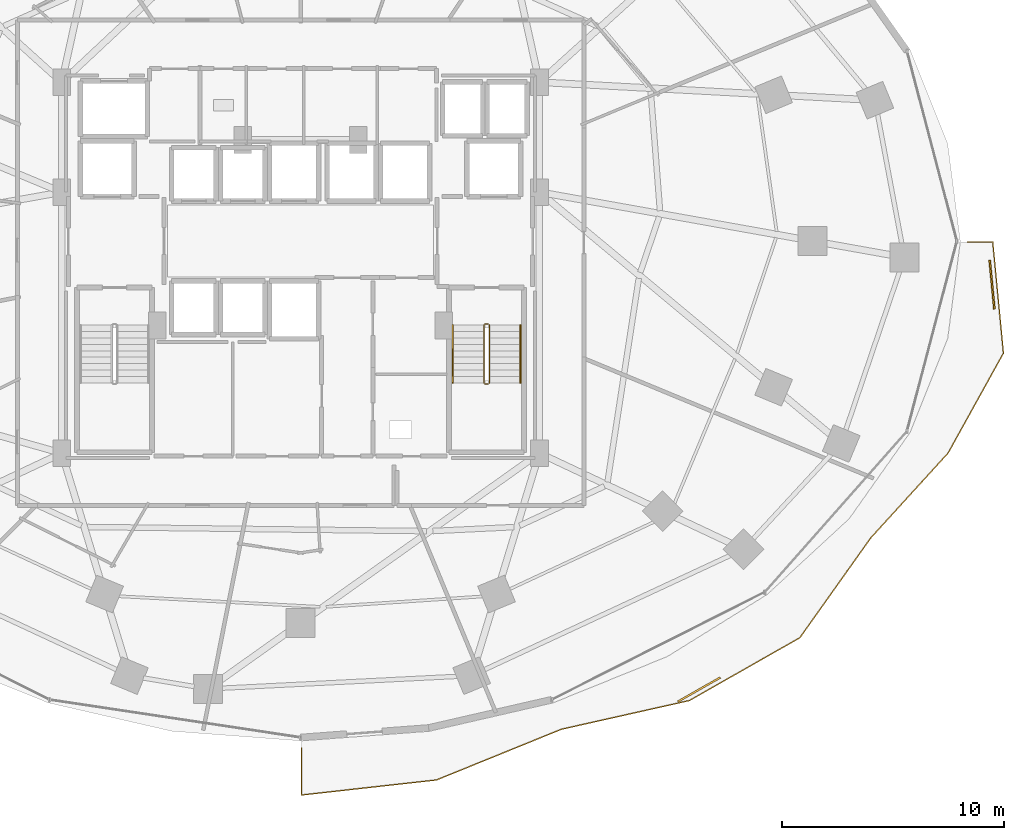
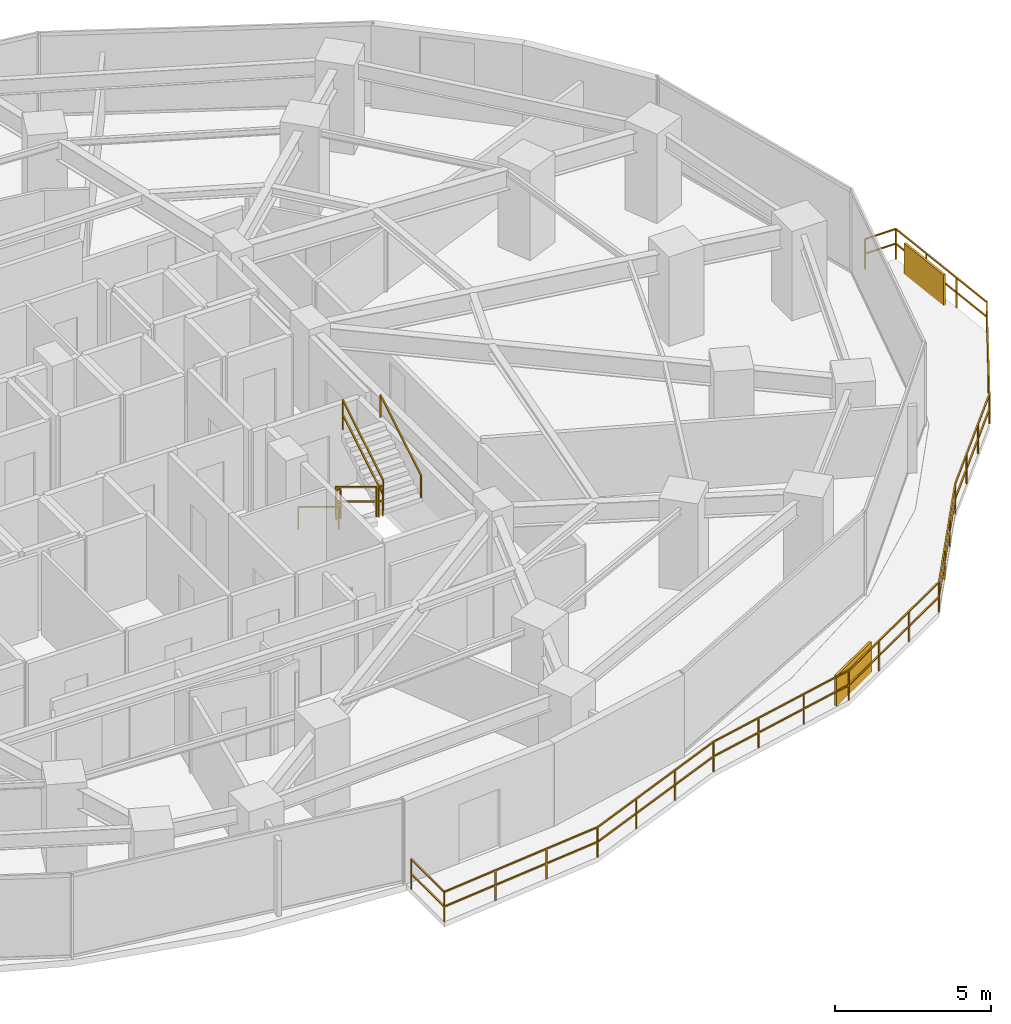
# One storey, part 33 of 35: 8 railings, 2 shading devices.
"""IFC4 building model written with IfcOpenShell, lengths in metres."""

import ifcopenshell
import ifcopenshell.guid

model = None  # the IFC model being written
_history = None  # IfcOwnerHistory: only IFC2X3 demands one
_inside = {}  # id of a spatial element -> (the spatial element, [elements in it])
_under = {}  # id of a project, library or spatial element -> (it, [spatial elements below it])
_declared = {}  # id of a project -> (the project, [libraries it declares])
_typed = {}  # id of a type object -> (the type object, [elements of that type])
_made_of = {}  # id of a material, layer set ... -> (it, [elements and type objects made of it])


def new_model(schema):
    """Start an empty IFC model of exactly this schema.

    Asked for "IFC4X3", IfcOpenShell would pick the latest addendum, in which some entities
    have other attributes; the version numbers below select the first issue.
    IFC2X3 requires an IfcOwnerHistory on every rooted entity: one is made here for all.
    """
    global model, _history
    if schema == "IFC4X3":
        model = ifcopenshell.file(schema_version=(4, 3, 0, 0))
    else:
        model = ifcopenshell.file(schema=schema)
    _inside.clear()
    _under.clear()
    _declared.clear()
    _typed.clear()
    _made_of.clear()
    _history = None
    if model.schema == "IFC2X3":
        org = make("IfcOrganization", Name="unknown")
        user = make(
            "IfcPersonAndOrganization",
            ThePerson=make("IfcPerson", FamilyName="unknown"),
            TheOrganization=org,
        )
        app = make(
            "IfcApplication",
            ApplicationDeveloper=org,
            Version="unknown",
            ApplicationFullName="unknown",
            ApplicationIdentifier="unknown",
        )
        _history = make(
            "IfcOwnerHistory",
            OwningUser=user,
            OwningApplication=app,
            ChangeAction="ADDED",
            CreationDate=0,
        )
    return model


def make(cls, **values):
    """One entity of the class cls with the attributes given. An attribute that is None is left unset."""
    return model.create_entity(
        cls, **{name: value for name, value in values.items() if value is not None}
    )


def rooted(cls, **values):
    """An entity with a GlobalId (a new one), such as an element, a storey or a relation."""
    return make(cls, GlobalId=ifcopenshell.guid.new(), OwnerHistory=_history, **values)


def si_unit(unit_type, name, prefix=None):
    """IfcSIUnit, for example si_unit("LENGTHUNIT", "METRE", prefix="MILLI")."""
    return make("IfcSIUnit", UnitType=unit_type, Prefix=prefix, Name=name)


def assignment(units):
    """IfcUnitAssignment: the units of a project."""
    return None if units is None else make("IfcUnitAssignment", Units=units)


def point(xyz):
    """IfcCartesianPoint."""
    return None if xyz is None else make("IfcCartesianPoint", Coordinates=xyz)


def direction(xyz):
    """IfcDirection."""
    return None if xyz is None else make("IfcDirection", DirectionRatios=xyz)


def frame(location, z_axis=None, x_axis=None):
    """IfcAxis2Placement3D, a coordinate frame: its origin and axes. An axis left out is left unset."""
    return make(
        "IfcAxis2Placement3D",
        Location=point(location),
        Axis=direction(z_axis),
        RefDirection=direction(x_axis),
    )


def frame_2d(location, x_axis=None):
    """IfcAxis2Placement2D, a coordinate frame in the plane: its origin and x axis."""
    return make(
        "IfcAxis2Placement2D", Location=point(location), RefDirection=direction(x_axis)
    )


def origin():
    """The frame at (0, 0, 0) with its axes left unset."""
    return frame((0.0, 0.0, 0.0))


def origin_2d():
    """The frame at (0, 0) in the plane with its x axis left unset."""
    return frame_2d((0.0, 0.0))


def place(relative_to, where):
    """IfcLocalPlacement: puts the frame where relative to a parent placement (None: the world)."""
    return make(
        "IfcLocalPlacement", PlacementRelTo=relative_to, RelativePlacement=where
    )


def context(
    kind, dimensions, precision=None, world=None, true_north=None, identifier=None
):
    """IfcGeometricRepresentationContext, for example the 3D "Model" context."""
    return make(
        "IfcGeometricRepresentationContext",
        ContextIdentifier=identifier,
        ContextType=kind,
        CoordinateSpaceDimension=dimensions,
        Precision=precision,
        WorldCoordinateSystem=world,
        TrueNorth=true_north,
    )


def subcontext(parent, identifier, kind, view, scale=None):
    """IfcGeometricRepresentationSubContext, for example "Body" below "Model"."""
    return make(
        "IfcGeometricRepresentationSubContext",
        ContextIdentifier=identifier,
        ContextType=kind,
        ParentContext=parent,
        TargetScale=scale,
        TargetView=view,
    )


def project(units=None, contexts=None):
    """IfcProject with its units and contexts."""
    return rooted(
        "IfcProject",
        Name="project",
        RepresentationContexts=contexts,
        UnitsInContext=assignment(units),
    )


def spatial(cls, under=None, at=None, **own):
    """A site, building, storey or space (cls), placed at a placement, below another one or the project."""
    s = rooted(cls, ObjectPlacement=at, **own)
    if under is not None:
        _under.setdefault(under.id(), (under, []))[1].append(s)
    return s


def profile(cls, at=None, kind="AREA", **sizes):
    """A parametric profile (cls). Its sizes go by their IFC names, for example OverallWidth=200.0."""
    return make(cls, ProfileType=kind, Position=at, **sizes)


def rectangle(**sizes):
    """IfcRectangleProfileDef."""
    return profile("IfcRectangleProfileDef", **sizes)


def extrude(swept, where, along, depth):
    """IfcExtrudedAreaSolid: the profile swept, set in the frame where, extruded along a direction by depth."""
    return make(
        "IfcExtrudedAreaSolid",
        SweptArea=swept,
        Position=where,
        ExtrudedDirection=direction(along),
        Depth=depth,
    )


def shape(context_of_items, identifier, shape_type, items):
    """IfcShapeRepresentation: the items that make up one representation, for example the "Body"."""
    return make(
        "IfcShapeRepresentation",
        ContextOfItems=context_of_items,
        RepresentationIdentifier=identifier,
        RepresentationType=shape_type,
        Items=items,
    )


def material(Name=None, Category=None):
    """IfcMaterial."""
    return make("IfcMaterial", Name=Name, Category=Category)


def made_of(thing, what):
    """Note that an element or type object is made of a material, layer set ...; save() writes the relation."""
    if what is not None:
        _made_of.setdefault(what.id(), (what, []))[1].append(thing)
    return thing


def type_object(cls, material=None, **own):
    """A type object (cls), such as IfcWallType, which elements share."""
    return made_of(rooted(cls, **own), material)


def element(
    cls,
    number,
    at=None,
    inside=None,
    cuts=None,
    type_object=None,
    material=None,
    context=None,
    identifier="Body",
    shape_type=None,
    held_by="IfcProductDefinitionShape",
    body=None,
    shapes=None,
    **own,
):
    """One element of the class cls, such as IfcWall. Its Tag is "e" and its number.

    at: its placement. inside: the storey or other place that contains it. cuts: it is an
    opening in that element (IfcRelVoidsElement). A single representation is given by context,
    identifier, shape_type and body (its items); several are given by shapes. held_by: the class
    of the entity that holds the representations. save() writes the other relations.
    """
    e = rooted(cls, Tag="e%d" % number, ObjectPlacement=at, **own)
    if body is not None:
        shapes = [shape(context, identifier, shape_type, body)]
    if shapes is not None:
        e.Representation = make(held_by, Representations=shapes)
    if inside is not None:
        _inside.setdefault(inside.id(), (inside, []))[1].append(e)
    if cuts is not None:
        rooted(
            "IfcRelVoidsElement", RelatingBuildingElement=cuts, RelatedOpeningElement=e
        )
    if type_object is not None:
        _typed.setdefault(type_object.id(), (type_object, []))[1].append(e)
    return made_of(e, material)


def aggregate(whole, parts):
    """IfcRelAggregates: a whole, such as a stair, and the parts it consists of."""
    return rooted("IfcRelAggregates", RelatingObject=whole, RelatedObjects=parts)


def save(model, path):
    """Write the relations noted so far, then the file.

    IfcRelAggregates (storeys below a building ...), IfcRelContainedInSpatialStructure (elements
    in a storey), IfcRelDefinesByType, IfcRelAssociatesMaterial and IfcRelDeclares: one each for
    every whole, place, type object, material and project.
    """
    for whole, parts in _under.values():
        aggregate(whole, parts)
    for where, things in _inside.values():
        rooted(
            "IfcRelContainedInSpatialStructure",
            RelatedElements=things,
            RelatingStructure=where,
        )
    for kind, things in _typed.values():
        rooted("IfcRelDefinesByType", RelatedObjects=things, RelatingType=kind)
    for what, things in _made_of.values():
        rooted("IfcRelAssociatesMaterial", RelatedObjects=things, RelatingMaterial=what)
    for by, libraries in _declared.values():
        rooted("IfcRelDeclares", RelatingContext=by, RelatedDefinitions=libraries)
    model.write(path)


model = new_model("IFC4")

# Units and contexts
model_context = context("Model", 3, precision=1e-05, world=origin(), true_north=direction((0.0, 1.0)))
body_context = subcontext(model_context, "Body", "Model", "MODEL_VIEW")
ifc_project = project(units=[si_unit("LENGTHUNIT", "METRE"), si_unit("AREAUNIT", "SQUARE_METRE"), si_unit("VOLUMEUNIT", "CUBIC_METRE"), si_unit("PLANEANGLEUNIT", "RADIAN"), si_unit("MASSUNIT", "GRAM", prefix="KILO")], contexts=[model_context])

# Site, building, storey
site_placement = place(None, origin())
site = spatial("IfcSite", under=ifc_project, at=site_placement, CompositionType="ELEMENT")
building_placement = place(site_placement, origin())
building = spatial("IfcBuilding", under=site, at=building_placement, Name="Vorneva Point Tower", CompositionType="ELEMENT")
storey_placement = place(building_placement, frame((0.0, 0.0, 45.0)))
storey = spatial("IfcBuildingStorey", under=building, at=storey_placement, Name="L11", CompositionType="ELEMENT", Elevation=45.0)

# Railings
ifc_material_1 = material(Name="Pale anodised aluminium", Category="aluminium")
railing_type_1 = type_object("IfcRailingType", Name="RL-BAL-1200", PredefinedType="BALUSTRADE", material=ifc_material_1)
railing_1_placement = place(storey_placement, frame((69.640869140625, 20.950927734375, 0.0)))
element("IfcRailing", 1, at=railing_1_placement, inside=storey, type_object=railing_type_1, Name="L11 Wave Balcony Balustrade SE.1", PredefinedType="BALUSTRADE", context=body_context, shape_type="SweptSolid", body=[
    extrude(rectangle(XDim=0.048095703125, YDim=0.048095703125, at=origin_2d()), frame((0.0, 0.0, 1.17578125), z_axis=(-0.095767984785, 0.995403683482, 0.0), x_axis=(-0.995403683482, -0.095767984785, 0.0)), (0.0, 0.0, 1.0), 5.022216796875),
    extrude(rectangle(XDim=0.048095703125, YDim=0.048095703125, at=origin_2d()), frame((0.0, 0.0, 0.60009765625), z_axis=(-0.095767984785, 0.995403683482, 0.0), x_axis=(-0.995403683482, -0.095767984785, 0.0)), (0.0, 0.0, 1.0), 5.022216796875),
    extrude(rectangle(XDim=0.048095703125, YDim=0.048095703125, at=origin_2d()), frame((-0.48095703125, 4.9990234375, 1.17578125), z_axis=(-1.0, 0.0, 0.0), x_axis=(0.0, -1.0, 0.0)), (0.0, 0.0, 1.0), 1.143798828125),
    extrude(rectangle(XDim=0.048095703125, YDim=0.048095703125, at=origin_2d()), frame((-0.48095703125, 4.9990234375, 0.60009765625), z_axis=(-1.0, 0.0, 0.0), x_axis=(0.0, -1.0, 0.0)), (0.0, 0.0, 1.0), 1.143798828125),
    extrude(rectangle(XDim=0.0419921875, YDim=0.0419921875, at=origin_2d()), origin(), (0.0, 0.0, 1.0), 1.15185546875),
    extrude(rectangle(XDim=0.0419921875, YDim=0.0419921875, at=origin_2d()), frame((-0.160400390625, 1.666259765625, 0.0)), (0.0, 0.0, 1.0), 1.15185546875),
    extrude(rectangle(XDim=0.0419921875, YDim=0.0419921875, at=origin_2d()), frame((-0.320556640625, 3.332763671875, 0.0)), (0.0, 0.0, 1.0), 1.15185546875),
    extrude(rectangle(XDim=0.0419921875, YDim=0.0419921875, at=origin_2d()), frame((-0.48095703125, 4.9990234375, 0.0)), (0.0, 0.0, 1.0), 1.15185546875),
    extrude(rectangle(XDim=0.0419921875, YDim=0.0419921875, at=origin_2d()), frame((-1.624755859375, 4.9990234375, 0.0)), (0.0, 0.0, 1.0), 1.15185546875),
])
railing_2_placement = place(storey_placement, frame((38.050048828125, 3.182861328125, 0.0)))
element("IfcRailing", 2, at=railing_2_placement, inside=storey, type_object=railing_type_1, Name="L11 Wave Balcony Balustrade SE.2", PredefinedType="BALUSTRADE", context=body_context, shape_type="SweptSolid", body=[
    extrude(rectangle(XDim=0.048095703125, YDim=0.048095703125, at=origin_2d()), frame((0.0, 0.0, 1.17578125), z_axis=(0.0, -1.0, 0.0), x_axis=(1.0, 0.0, 0.0)), (0.0, 0.0, 1.0), 2.122314453125),
    extrude(rectangle(XDim=0.048095703125, YDim=0.048095703125, at=origin_2d()), frame((0.0, 0.0, 0.60009765625), z_axis=(0.0, -1.0, 0.0), x_axis=(1.0, 0.0, 0.0)), (0.0, 0.0, 1.0), 2.122314453125),
    extrude(rectangle(XDim=0.048095703125, YDim=0.048095703125, at=origin_2d()), frame((0.0, -2.122314453125, 1.17578125), z_axis=(0.993816332481, 0.111036468302, 0.0), x_axis=(-0.111036468302, 0.993816332481, 0.0)), (0.0, 0.0, 1.0), 6.112548828125),
    extrude(rectangle(XDim=0.048095703125, YDim=0.048095703125, at=origin_2d()), frame((0.0, -2.122314453125, 0.60009765625), z_axis=(0.993816332481, 0.111036468302, 0.0), x_axis=(-0.111036468302, 0.993816332481, 0.0)), (0.0, 0.0, 1.0), 6.112548828125),
    extrude(rectangle(XDim=0.048095703125, YDim=0.048095703125, at=origin_2d()), frame((6.07470703125, -1.443603515625, 1.17578125), z_axis=(0.92649115642, 0.376316538403, 0.0), x_axis=(-0.376316538403, 0.92649115642, 0.0)), (0.0, 0.0, 1.0), 6.060791015625),
    extrude(rectangle(XDim=0.048095703125, YDim=0.048095703125, at=origin_2d()), frame((6.07470703125, -1.443603515625, 0.60009765625), z_axis=(0.92649115642, 0.376316538403, 0.0), x_axis=(-0.376316538403, 0.92649115642, 0.0)), (0.0, 0.0, 1.0), 6.060791015625),
    extrude(rectangle(XDim=0.048095703125, YDim=0.048095703125, at=origin_2d()), frame((11.68994140625, 0.837158203125, 1.17578125), z_axis=(0.975737524658, 0.218943561164, 0.0), x_axis=(-0.218943561164, 0.975737524658, 0.0)), (0.0, 0.0, 1.0), 5.905517578125),
    extrude(rectangle(XDim=0.048095703125, YDim=0.048095703125, at=origin_2d()), frame((11.68994140625, 0.837158203125, 0.60009765625), z_axis=(0.975737524658, 0.218943561164, 0.0), x_axis=(-0.218943561164, 0.975737524658, 0.0)), (0.0, 0.0, 1.0), 5.905517578125),
    extrude(rectangle(XDim=0.048095703125, YDim=0.048095703125, at=origin_2d()), frame((17.4521484375, 2.130126953125, 1.17578125), z_axis=(0.869364509694, 0.494171376431, 0.0), x_axis=(-0.494171376431, 0.869364509694, 0.0)), (0.0, 0.0, 1.0), 5.722900390625),
    extrude(rectangle(XDim=0.048095703125, YDim=0.048095703125, at=origin_2d()), frame((17.4521484375, 2.130126953125, 0.60009765625), z_axis=(0.869364509694, 0.494171376431, 0.0), x_axis=(-0.494171376431, 0.869364509694, 0.0)), (0.0, 0.0, 1.0), 5.722900390625),
    extrude(rectangle(XDim=0.048095703125, YDim=0.048095703125, at=origin_2d()), frame((22.427490234375, 4.958251953125, 1.17578125), z_axis=(0.579163786314, 0.815211204917, 0.0), x_axis=(-0.815211204917, 0.579163786314, 0.0)), (0.0, 0.0, 1.0), 5.515869140625),
    extrude(rectangle(XDim=0.048095703125, YDim=0.048095703125, at=origin_2d()), frame((22.427490234375, 4.958251953125, 0.60009765625), z_axis=(0.579163786314, 0.815211204917, 0.0), x_axis=(-0.815211204917, 0.579163786314, 0.0)), (0.0, 0.0, 1.0), 5.515869140625),
    extrude(rectangle(XDim=0.048095703125, YDim=0.048095703125, at=origin_2d()), frame((25.6220703125, 9.454833984375, 1.17578125), z_axis=(0.673580702306, 0.739113683732, 0.0), x_axis=(-0.739113683732, 0.673580702306, 0.0)), (0.0, 0.0, 1.0), 5.16357421875),
    extrude(rectangle(XDim=0.048095703125, YDim=0.048095703125, at=origin_2d()), frame((25.6220703125, 9.454833984375, 0.60009765625), z_axis=(0.673580702306, 0.739113683732, 0.0), x_axis=(-0.739113683732, 0.673580702306, 0.0)), (0.0, 0.0, 1.0), 5.16357421875),
    extrude(rectangle(XDim=0.048095703125, YDim=0.048095703125, at=origin_2d()), frame((29.10009765625, 13.271240234375, 1.17578125), z_axis=(0.484525548596, 0.87477711033, 0.0), x_axis=(-0.87477711033, 0.484525548596, 0.0)), (0.0, 0.0, 1.0), 5.140625),
    extrude(rectangle(XDim=0.048095703125, YDim=0.048095703125, at=origin_2d()), frame((29.10009765625, 13.271240234375, 0.60009765625), z_axis=(0.484525548596, 0.87477711033, 0.0), x_axis=(-0.87477711033, 0.484525548596, 0.0)), (0.0, 0.0, 1.0), 5.140625),
    extrude(rectangle(XDim=0.0419921875, YDim=0.0419921875, at=origin_2d()), origin(), (0.0, 0.0, 1.0), 1.15185546875),
    extrude(rectangle(XDim=0.0419921875, YDim=0.0419921875, at=origin_2d()), frame((0.0, -2.122314453125, 0.0)), (0.0, 0.0, 1.0), 1.15185546875),
    extrude(rectangle(XDim=0.0419921875, YDim=0.0419921875, at=origin_2d()), frame((2.02490234375, -1.89599609375, 0.0)), (0.0, 0.0, 1.0), 1.15185546875),
    extrude(rectangle(XDim=0.0419921875, YDim=0.0419921875, at=origin_2d()), frame((4.0498046875, -1.669921875, 0.0)), (0.0, 0.0, 1.0), 1.15185546875),
    extrude(rectangle(XDim=0.0419921875, YDim=0.0419921875, at=origin_2d()), frame((6.07470703125, -1.443603515625, 0.0)), (0.0, 0.0, 1.0), 1.15185546875),
    extrude(rectangle(XDim=0.0419921875, YDim=0.0419921875, at=origin_2d()), frame((7.946533203125, -0.683349609375, 0.0)), (0.0, 0.0, 1.0), 1.15185546875),
    extrude(rectangle(XDim=0.0419921875, YDim=0.0419921875, at=origin_2d()), frame((9.818115234375, 0.076904296875, 0.0)), (0.0, 0.0, 1.0), 1.15185546875),
    extrude(rectangle(XDim=0.0419921875, YDim=0.0419921875, at=origin_2d()), frame((11.68994140625, 0.837158203125, 0.0)), (0.0, 0.0, 1.0), 1.15185546875),
    extrude(rectangle(XDim=0.0419921875, YDim=0.0419921875, at=origin_2d()), frame((13.610595703125, 1.26806640625, 0.0)), (0.0, 0.0, 1.0), 1.15185546875),
    extrude(rectangle(XDim=0.0419921875, YDim=0.0419921875, at=origin_2d()), frame((15.531494140625, 1.69921875, 0.0)), (0.0, 0.0, 1.0), 1.15185546875),
    extrude(rectangle(XDim=0.0419921875, YDim=0.0419921875, at=origin_2d()), frame((17.4521484375, 2.130126953125, 0.0)), (0.0, 0.0, 1.0), 1.15185546875),
    extrude(rectangle(XDim=0.0419921875, YDim=0.0419921875, at=origin_2d()), frame((19.110595703125, 3.07275390625, 0.0)), (0.0, 0.0, 1.0), 1.15185546875),
    extrude(rectangle(XDim=0.0419921875, YDim=0.0419921875, at=origin_2d()), frame((20.76904296875, 4.015625, 0.0)), (0.0, 0.0, 1.0), 1.15185546875),
    extrude(rectangle(XDim=0.0419921875, YDim=0.0419921875, at=origin_2d()), frame((22.427490234375, 4.958251953125, 0.0)), (0.0, 0.0, 1.0), 1.15185546875),
    extrude(rectangle(XDim=0.0419921875, YDim=0.0419921875, at=origin_2d()), frame((23.492431640625, 6.45703125, 0.0)), (0.0, 0.0, 1.0), 1.15185546875),
    extrude(rectangle(XDim=0.0419921875, YDim=0.0419921875, at=origin_2d()), frame((24.55712890625, 7.9560546875, 0.0)), (0.0, 0.0, 1.0), 1.15185546875),
    extrude(rectangle(XDim=0.0419921875, YDim=0.0419921875, at=origin_2d()), frame((25.6220703125, 9.454833984375, 0.0)), (0.0, 0.0, 1.0), 1.15185546875),
    extrude(rectangle(XDim=0.0419921875, YDim=0.0419921875, at=origin_2d()), frame((26.781494140625, 10.72705078125, 0.0)), (0.0, 0.0, 1.0), 1.15185546875),
    extrude(rectangle(XDim=0.0419921875, YDim=0.0419921875, at=origin_2d()), frame((27.940673828125, 11.9990234375, 0.0)), (0.0, 0.0, 1.0), 1.15185546875),
    extrude(rectangle(XDim=0.0419921875, YDim=0.0419921875, at=origin_2d()), frame((29.10009765625, 13.271240234375, 0.0)), (0.0, 0.0, 1.0), 1.15185546875),
    extrude(rectangle(XDim=0.0419921875, YDim=0.0419921875, at=origin_2d()), frame((29.930419921875, 14.770263671875, 0.0)), (0.0, 0.0, 1.0), 1.15185546875),
    extrude(rectangle(XDim=0.0419921875, YDim=0.0419921875, at=origin_2d()), frame((30.760498046875, 16.26904296875, 0.0)), (0.0, 0.0, 1.0), 1.15185546875),
    extrude(rectangle(XDim=0.0419921875, YDim=0.0419921875, at=origin_2d()), frame((31.5908203125, 17.76806640625, 0.0)), (0.0, 0.0, 1.0), 1.15185546875),
])
ifc_material_2 = material(Name="Brushed stainless steel S304", Category="steel")
railing_type_2 = type_object("IfcRailingType", Name="RL-HND-920", PredefinedType="HANDRAIL", material=ifc_material_2)
railing_3_placement = place(storey_placement, frame((44.85009765625, 22.219970703125, 0.175048828125)))
element("IfcRailing", 3, at=railing_3_placement, inside=storey, type_object=railing_type_2, Name="L11 ST2 stair handrail 1", PredefinedType="HANDRAIL", context=body_context, shape_type="SweptSolid", body=[
    extrude(rectangle(XDim=0.048095703125, YDim=0.048095703125, at=origin_2d()), frame((0.0, 0.0, 0.8759765625), z_axis=(0.0, -0.85618277418, 0.516673066065), x_axis=(1.0, 0.0, 0.0)), (0.0, 0.0, 1.0), 3.04833984375),
    extrude(rectangle(XDim=0.0419921875, YDim=0.0419921875, at=origin_2d()), origin(), (0.0, 0.0, 1.0), 0.851806640625),
    extrude(rectangle(XDim=0.0419921875, YDim=0.0419921875, at=origin_2d()), frame((0.0, -2.60986328125, 1.574951171875)), (0.0, 0.0, 1.0), 0.851806640625),
])
railing_4_placement = place(storey_placement, frame((47.89990234375, 19.610107421875, 1.925048828125)))
element("IfcRailing", 4, at=railing_4_placement, inside=storey, type_object=railing_type_2, Name="L11 ST2 stair handrail 2", PredefinedType="HANDRAIL", context=body_context, shape_type="SweptSolid", body=[
    extrude(rectangle(XDim=0.048095703125, YDim=0.048095703125, at=origin_2d()), frame((0.0, 0.0, 0.8759765625), z_axis=(0.0, 0.85618277418, 0.516673066065), x_axis=(-1.0, 0.0, 0.0)), (0.0, 0.0, 1.0), 3.04833984375),
    extrude(rectangle(XDim=0.0419921875, YDim=0.0419921875, at=origin_2d()), origin(), (0.0, 0.0, 1.0), 0.851806640625),
    extrude(rectangle(XDim=0.0419921875, YDim=0.0419921875, at=origin_2d()), frame((0.0, 2.60986328125, 1.574951171875)), (0.0, 0.0, 1.0), 0.851806640625),
])
railing_type_3 = type_object("IfcRailingType", Name="RL-STG-1100", PredefinedType="GUARDRAIL", material=ifc_material_2)
railing_5_placement = place(storey_placement, frame((46.25, 22.219970703125, 0.175048828125)))
element("IfcRailing", 5, at=railing_5_placement, inside=storey, type_object=railing_type_3, Name="L11 ST2 stair guard 1", PredefinedType="GUARDRAIL", context=body_context, shape_type="SweptSolid", body=[
    extrude(rectangle(XDim=0.048095703125, YDim=0.048095703125, at=origin_2d()), frame((0.0, 0.0, 1.17578125), z_axis=(0.0, -0.85618277418, 0.516673066065), x_axis=(1.0, 0.0, 0.0)), (0.0, 0.0, 1.0), 3.04833984375),
    extrude(rectangle(XDim=0.048095703125, YDim=0.048095703125, at=origin_2d()), frame((0.0, 0.0, 0.60009765625), z_axis=(0.0, -0.85618277418, 0.516673066065), x_axis=(1.0, 0.0, 0.0)), (0.0, 0.0, 1.0), 3.04833984375),
    extrude(rectangle(XDim=0.0419921875, YDim=0.0419921875, at=origin_2d()), origin(), (0.0, 0.0, 1.0), 1.15185546875),
    extrude(rectangle(XDim=0.0419921875, YDim=0.0419921875, at=origin_2d()), frame((0.0, -2.60986328125, 1.574951171875)), (0.0, 0.0, 1.0), 1.15185546875),
])
railing_6_placement = place(storey_placement, frame((46.300048828125, 19.56005859375, 1.75)))
element("IfcRailing", 6, at=railing_6_placement, inside=storey, type_object=railing_type_3, Name="L11 ST2 stair guard 2", PredefinedType="GUARDRAIL", context=body_context, shape_type="SweptSolid", body=[
    extrude(rectangle(XDim=0.048095703125, YDim=0.048095703125, at=origin_2d()), frame((0.0, 0.0, 1.17578125), z_axis=(1.0, 0.0, 0.0), x_axis=(0.0, 1.0, 0.0)), (0.0, 0.0, 1.0), 0.14990234375),
    extrude(rectangle(XDim=0.048095703125, YDim=0.048095703125, at=origin_2d()), frame((0.0, 0.0, 0.60009765625), z_axis=(1.0, 0.0, 0.0), x_axis=(0.0, 1.0, 0.0)), (0.0, 0.0, 1.0), 0.14990234375),
    extrude(rectangle(XDim=0.0419921875, YDim=0.0419921875, at=origin_2d()), origin(), (0.0, 0.0, 1.0), 1.15185546875),
    extrude(rectangle(XDim=0.0419921875, YDim=0.0419921875, at=origin_2d()), frame((0.14990234375, 0.0, 0.0)), (0.0, 0.0, 1.0), 1.15185546875),
])
railing_7_placement = place(storey_placement, frame((46.5, 19.610107421875, 1.925048828125)))
element("IfcRailing", 7, at=railing_7_placement, inside=storey, type_object=railing_type_3, Name="L11 ST2 stair guard 3", PredefinedType="GUARDRAIL", context=body_context, shape_type="SweptSolid", body=[
    extrude(rectangle(XDim=0.048095703125, YDim=0.048095703125, at=origin_2d()), frame((0.0, 0.0, 1.17578125), z_axis=(0.0, 0.85618277418, 0.516673066065), x_axis=(-1.0, 0.0, 0.0)), (0.0, 0.0, 1.0), 3.04833984375),
    extrude(rectangle(XDim=0.048095703125, YDim=0.048095703125, at=origin_2d()), frame((0.0, 0.0, 0.60009765625), z_axis=(0.0, 0.85618277418, 0.516673066065), x_axis=(-1.0, 0.0, 0.0)), (0.0, 0.0, 1.0), 3.04833984375),
    extrude(rectangle(XDim=0.0419921875, YDim=0.0419921875, at=origin_2d()), origin(), (0.0, 0.0, 1.0), 1.15185546875),
    extrude(rectangle(XDim=0.0419921875, YDim=0.0419921875, at=origin_2d()), frame((0.0, 2.60986328125, 1.574951171875)), (0.0, 0.0, 1.0), 1.15185546875),
])
railing_8_placement = place(storey_placement, frame((46.300048828125, 22.27001953125, 0.0)))
element("IfcRailing", 8, at=railing_8_placement, inside=storey, type_object=railing_type_3, Name="L11 ST2 stair guard 4", PredefinedType="GUARDRAIL", context=body_context, shape_type="SweptSolid", body=[
    extrude(rectangle(XDim=0.048095703125, YDim=0.048095703125, at=origin_2d()), frame((0.0, 0.0, 1.17578125), z_axis=(1.0, 0.0, 0.0), x_axis=(0.0, 1.0, 0.0)), (0.0, 0.0, 1.0), 0.14990234375),
    extrude(rectangle(XDim=0.048095703125, YDim=0.048095703125, at=origin_2d()), frame((0.0, 0.0, 0.60009765625), z_axis=(1.0, 0.0, 0.0), x_axis=(0.0, 1.0, 0.0)), (0.0, 0.0, 1.0), 0.14990234375),
    extrude(rectangle(XDim=0.0419921875, YDim=0.0419921875, at=origin_2d()), origin(), (0.0, 0.0, 1.0), 1.15185546875),
    extrude(rectangle(XDim=0.0419921875, YDim=0.0419921875, at=origin_2d()), frame((0.14990234375, 0.0, 0.0)), (0.0, 0.0, 1.0), 1.15185546875),
])

# Shading devices
shading_device_type = type_object("IfcShadingDeviceType", Name="SHD-JAL-1200", PredefinedType="JALOUSIE", material=ifc_material_1)
for number, where, z_axis, x_axis, name in (
    (9, (69.1259765625, 24.033447265625, -0.02001953125), (0.0, 0.0, 1.0), (-0.095793633566, 0.995401215475, 0.0), "L11 Balcony Vertical-Greenery Planter Screen SE.1"),
    (10, (55.939208984375, 5.80908203125, -0.02001953125), (0.0, 0.0, 1.0), (0.869365586031, 0.494169482895, 0.0), "L11 Balcony Vertical-Greenery Planter Screen SE.2"),
):
    element("IfcShadingDevice", number, at=place(storey_placement, frame(where, z_axis=z_axis, x_axis=x_axis)), inside=storey, type_object=shading_device_type, Name=name, PredefinedType="JALOUSIE", context=body_context, shape_type="SweptSolid", body=[
        extrude(rectangle(XDim=2.199951171875, YDim=0.080078125, at=origin_2d()), origin(), (0.0, 0.0, 1.0), 1.199951171875),
    ])

save(model, "model.ifc")
